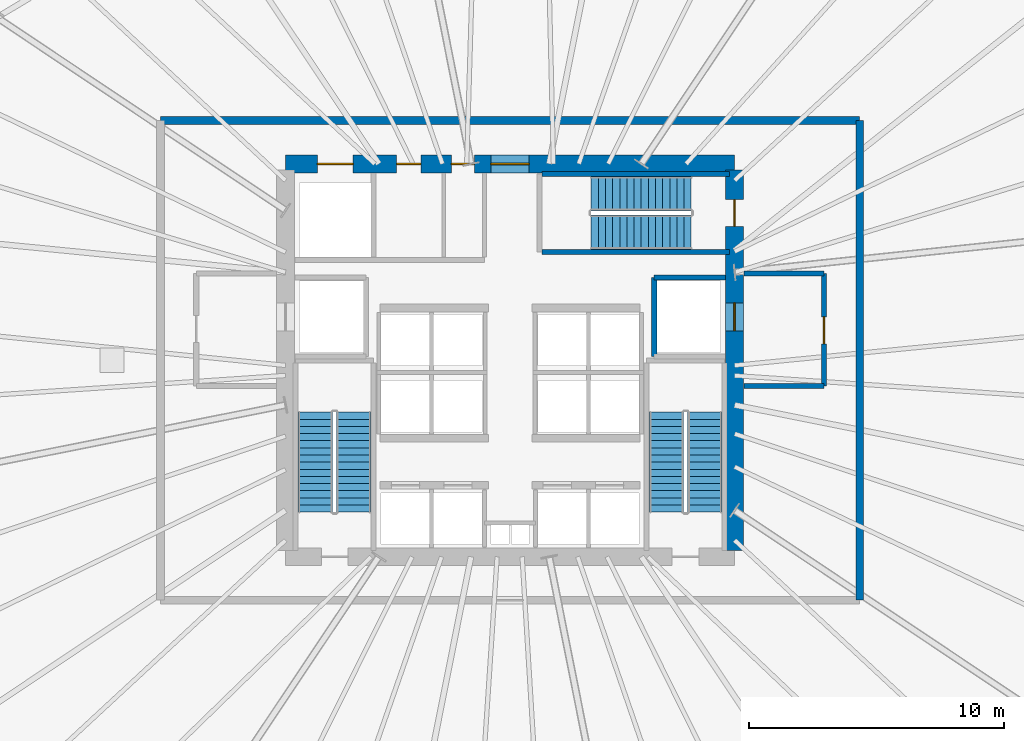
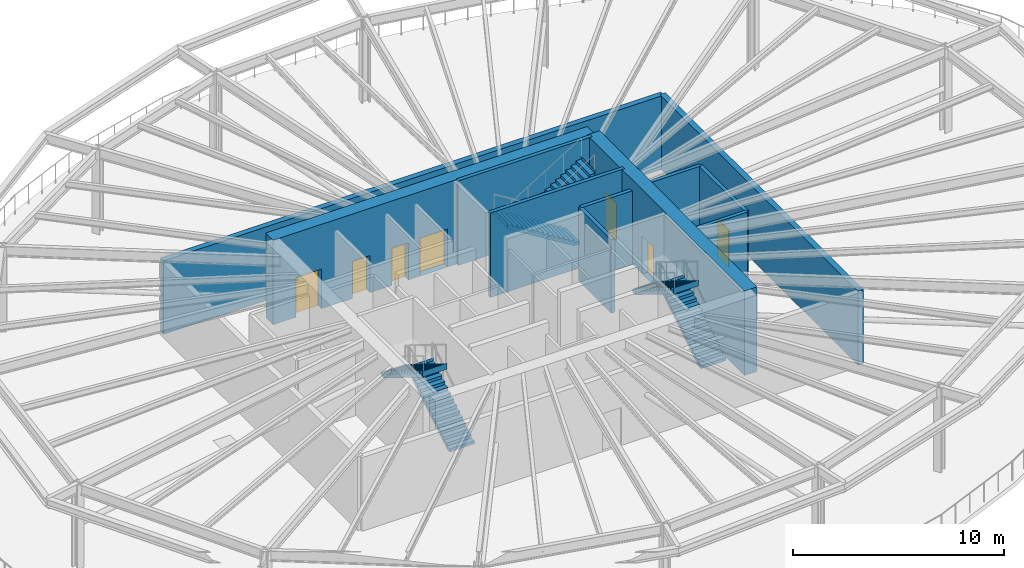
# One storey, part 5 of 9: 11 walls, 7 doors, 6 stair flights, 7 openings, 3 elements without a shape of their own.
"""IFC4 building model written with IfcOpenShell, lengths in metres."""

from ifc_helpers import new_model, si_unit, direction, frame, frame_2d, origin, place, context, subcontext, project, spatial, polyline, rectangle, outline, extrude, source, transform, mapped, material, layer, layer_set, type_object, element, fill, aggregate, save


model = new_model("IFC4")

# Units and contexts
model_context = context("Model", 3, precision=1e-05, world=origin(), true_north=direction((0.0, 1.0)))
body_context = subcontext(model_context, "Body", "Model", "MODEL_VIEW")
ifc_project = project(units=[si_unit("LENGTHUNIT", "METRE"), si_unit("AREAUNIT", "SQUARE_METRE"), si_unit("VOLUMEUNIT", "CUBIC_METRE"), si_unit("PLANEANGLEUNIT", "RADIAN"), si_unit("MASSUNIT", "GRAM", prefix="KILO"), si_unit("THERMODYNAMICTEMPERATUREUNIT", "KELVIN")], contexts=[model_context])

# Site, building, storey
site_placement = place(None, origin())
site = spatial("IfcSite", under=ifc_project, at=site_placement, CompositionType="ELEMENT")
building_placement = place(site_placement, origin())
building = spatial("IfcBuilding", under=site, at=building_placement, Name="Kethvar Cultural Tower", CompositionType="ELEMENT")
storey_placement = place(building_placement, frame((0.0, 0.0, 75.199951171875)))
storey = spatial("IfcBuildingStorey", under=building, at=storey_placement, Name="L18", CompositionType="ELEMENT", Elevation=75.199951171875)

# Wall, openings, doors
ifc_material_1 = material(Name="Concrete C60/75", Category="concrete")
ifc_layer_1 = layer(ifc_material_1, 0.699951171875, Name="Concrete C60/75", Category="concrete")
ifc_layer_set_1 = layer_set([ifc_layer_1], Name="Concrete C60/75 (700 mm)")
wall_type_1 = type_object("IfcWallType", Name="WL-CORE-700", PredefinedType="SHEAR", material=ifc_layer_set_1)
wall_1_placement = place(storey_placement, frame((55.60009765625, 35.5, 0.0), z_axis=(0.0, 0.0, 1.0), x_axis=(-1.0, 0.0, 0.0)))
wall_1 = element("IfcWall", 1, at=wall_1_placement, inside=storey, type_object=wall_type_1, Name="L18 Core Shear Wall N", PredefinedType="SHEAR", context=body_context, shape_type="SweptSolid", body=[
    extrude(rectangle(XDim=17.60009765625, YDim=0.699951171875, at=frame_2d((8.800048828125, 0.0))), origin(), (0.0, 0.0, 1.0), 4.89013671875),
])
opening_1_placement = place(wall_1_placement, frame((8.050048828125, 0.0, 0.0)))
opening_1 = element("IfcOpeningElement", 2, at=opening_1_placement, cuts=wall_1, Name="Opening D-L18-LN", PredefinedType="OPENING", context=body_context, shape_type="SweptSolid", body=[
    extrude(rectangle(XDim=1.5, YDim=2.199951171875, at=frame_2d((0.75, 1.10009765625))), frame((0.0, 0.35986328125, 0.0), z_axis=(0.0, -1.0, 0.0), x_axis=(1.0, 0.0, 0.0)), (0.0, 0.0, 1.0), 0.719970703125),
])
opening_2_placement = place(wall_1_placement, frame((14.949951171875, 0.0, 0.0)))
opening_2 = element("IfcOpeningElement", 3, at=opening_2_placement, cuts=wall_1, Name="Opening LD-G1", PredefinedType="OPENING", context=body_context, shape_type="SweptSolid", body=[
    extrude(rectangle(XDim=1.39990234375, YDim=2.300048828125, at=frame_2d((0.699951171875, 1.14990234375))), frame((0.0, 0.35986328125, 0.0), z_axis=(0.0, -1.0, 0.0), x_axis=(1.0, 0.0, 0.0)), (0.0, 0.0, 1.0), 0.719970703125),
])
opening_3_placement = place(wall_1_placement, frame((12.300048828125, 0.0, 0.0)))
opening_3 = element("IfcOpeningElement", 4, at=opening_3_placement, cuts=wall_1, Name="Opening D-L18-W1", PredefinedType="OPENING", context=body_context, shape_type="SweptSolid", body=[
    extrude(rectangle(XDim=0.949951171875, YDim=2.14990234375, at=frame_2d((0.47509765625, 1.074951171875))), frame((0.0, 0.35986328125, 0.0), z_axis=(0.0, -1.0, 0.0), x_axis=(1.0, 0.0, 0.0)), (0.0, 0.0, 1.0), 0.719970703125),
])
opening_4_placement = place(wall_1_placement, frame((10.199951171875, 0.0, 0.0)))
opening_4 = element("IfcOpeningElement", 5, at=opening_4_placement, cuts=wall_1, Name="Opening D-L18-W2", PredefinedType="OPENING", context=body_context, shape_type="SweptSolid", body=[
    extrude(rectangle(XDim=0.89990234375, YDim=2.14990234375, at=frame_2d((0.449951171875, 1.074951171875))), frame((0.0, 0.35986328125, 0.0), z_axis=(0.0, -1.0, 0.0), x_axis=(1.0, 0.0, 0.0)), (0.0, 0.0, 1.0), 0.719970703125),
])
ifc_material_2 = material(Name="Architectural Oak Timber", Category="wood")
door_type_1 = type_object("IfcDoorType", Name="DR-DBL-FD60-1500", OperationType="DOUBLE_DOOR_SINGLE_SWING", PredefinedType="DOOR", material=ifc_material_2)
shared_shape_1 = source(origin(), body_context, "Body", "SweptSolid", [
    extrude(rectangle(XDim=1.5, YDim=2.199951171875, at=frame_2d((0.75, 1.10009765625))), frame((0.0, 0.02490234375, 0.0), z_axis=(0.0, -1.0, 0.0), x_axis=(1.0, 0.0, 0.0)), (0.0, 0.0, 1.0), 0.050048828125),
])
door_1_placement = place(opening_1_placement, origin())
door_1 = element("IfcDoor", 6, at=door_1_placement, inside=storey, type_object=door_type_1, Name="L18 Lift Lobby Concourse Door", OperationType="DOUBLE_DOOR_SINGLE_SWING", OverallHeight=2.199951171875, OverallWidth=1.5, PredefinedType="DOOR", context=body_context, shape_type="MappedRepresentation", body=[
    mapped(shared_shape_1, transform((0.0, 0.0, 0.0), scale=1.0)),
])
fill(opening_1, door_1)
ifc_material_3 = material(Name="Steel S355J2", Category="steel")
door_type_2 = type_object("IfcDoorType", Name="DR-LIFT-SLIDE-1400", OperationType="NOTDEFINED", PredefinedType="DOOR", material=ifc_material_3)
shared_shape_2 = source(origin(), body_context, "Body", "SweptSolid", [
    extrude(rectangle(XDim=1.39990234375, YDim=2.300048828125, at=frame_2d((0.699951171875, 1.14990234375))), frame((0.0, 0.02490234375, 0.0), z_axis=(0.0, -1.0, 0.0), x_axis=(1.0, 0.0, 0.0)), (0.0, 0.0, 1.0), 0.050048828125),
])
door_2_placement = place(opening_2_placement, origin())
door_2 = element("IfcDoor", 7, at=door_2_placement, inside=storey, type_object=door_type_2, Name="L18 Goods Lift Landing Door", OperationType="SLIDING_TO_RIGHT", OverallHeight=2.300048828125, OverallWidth=1.39990234375, PredefinedType="DOOR", context=body_context, shape_type="MappedRepresentation", body=[
    mapped(shared_shape_2, transform((0.0, 0.0, 0.0), scale=1.0)),
])
fill(opening_2, door_2)
door_type_3 = type_object("IfcDoorType", Name="DR-FD30-950", OperationType="NOTDEFINED", PredefinedType="DOOR", material=ifc_material_2)
shared_shape_3 = source(origin(), body_context, "Body", "SweptSolid", [
    extrude(rectangle(XDim=0.949951171875, YDim=2.14990234375, at=frame_2d((0.47509765625, 1.074951171875))), frame((0.0, 0.02490234375, 0.0), z_axis=(0.0, -1.0, 0.0), x_axis=(1.0, 0.0, 0.0)), (0.0, 0.0, 1.0), 0.050048828125),
])
door_3_placement = place(opening_3_placement, origin())
door_3 = element("IfcDoor", 8, at=door_3_placement, inside=storey, type_object=door_type_3, Name="L18 Public Washroom Door", OperationType="SINGLE_SWING_LEFT", OverallHeight=2.14990234375, OverallWidth=0.949951171875, PredefinedType="DOOR", context=body_context, shape_type="MappedRepresentation", body=[
    mapped(shared_shape_3, transform((0.0, 0.0, 0.0), scale=1.0)),
])
fill(opening_3, door_3)
door_type_4 = type_object("IfcDoorType", Name="DR-FD30-900", OperationType="NOTDEFINED", PredefinedType="DOOR", material=ifc_material_2)
shared_shape_4 = source(origin(), body_context, "Body", "SweptSolid", [
    extrude(rectangle(XDim=0.89990234375, YDim=2.14990234375, at=frame_2d((0.449951171875, 1.074951171875))), frame((0.0, 0.02490234375, 0.0), z_axis=(0.0, -1.0, 0.0), x_axis=(1.0, 0.0, 0.0)), (0.0, 0.0, 1.0), 0.050048828125),
])
door_4_placement = place(opening_4_placement, origin())
door_4 = element("IfcDoor", 9, at=door_4_placement, inside=storey, type_object=door_type_4, Name="L18 Accessible Washroom Door", OperationType="SINGLE_SWING_RIGHT", OverallHeight=2.14990234375, OverallWidth=0.89990234375, PredefinedType="DOOR", context=body_context, shape_type="MappedRepresentation", body=[
    mapped(shared_shape_4, transform((0.0, 0.0, 0.0), scale=1.0)),
])
fill(opening_4, door_4)

wall_2_placement = place(storey_placement, frame((55.60009765625, 20.340087890625, 0.0), z_axis=(0.0, 0.0, 1.0), x_axis=(0.0, 1.0, 0.0)))
wall_2 = element("IfcWall", 10, at=wall_2_placement, inside=storey, type_object=wall_type_1, Name="L18 Core Shear Wall E", PredefinedType="SHEAR", context=body_context, shape_type="SweptSolid", body=[
    extrude(rectangle(XDim=14.919921875, YDim=0.699951171875, at=frame_2d((7.4599609375, 0.0))), origin(), (0.0, 0.0, 1.0), 4.89013671875),
])
opening_5_placement = place(wall_2_placement, frame((12.7099609375, 0.0, 0.0)))
opening_5 = element("IfcOpeningElement", 11, at=opening_5_placement, cuts=wall_2, Name="Opening D-L18-S3", PredefinedType="OPENING", context=body_context, shape_type="SweptSolid", body=[
    extrude(rectangle(XDim=1.050048828125, YDim=2.14990234375, at=frame_2d((0.52490234375, 1.074951171875))), frame((0.0, 0.35986328125, 0.0), z_axis=(0.0, -1.0, 0.0), x_axis=(1.0, 0.0, 0.0)), (0.0, 0.0, 1.0), 0.719970703125),
])
opening_6_placement = place(wall_2_placement, frame((8.610107421875, 0.0, 0.0)))
opening_6 = element("IfcOpeningElement", 12, at=opening_6_placement, cuts=wall_2, Name="Opening LD-2", PredefinedType="OPENING", context=body_context, shape_type="SweptSolid", body=[
    extrude(rectangle(XDim=1.10009765625, YDim=2.199951171875, at=frame_2d((0.550048828125, 1.10009765625))), frame((0.0, 0.35986328125, 0.0), z_axis=(0.0, -1.0, 0.0), x_axis=(1.0, 0.0, 0.0)), (0.0, 0.0, 1.0), 0.719970703125),
])
door_type_5 = type_object("IfcDoorType", Name="DR-FD60-1050", OperationType="NOTDEFINED", PredefinedType="DOOR", material=ifc_material_3)
shared_shape_5 = source(origin(), body_context, "Body", "SweptSolid", [
    extrude(rectangle(XDim=1.050048828125, YDim=2.14990234375, at=frame_2d((0.52490234375, 1.074951171875))), frame((0.0, 0.02490234375, 0.0), z_axis=(0.0, -1.0, 0.0), x_axis=(1.0, 0.0, 0.0)), (0.0, 0.0, 1.0), 0.050048828125),
])
door_5_placement = place(opening_5_placement, origin())
door_5 = element("IfcDoor", 13, at=door_5_placement, inside=storey, type_object=door_type_5, Name="L18 Exit Stair 3 Door", OperationType="SINGLE_SWING_LEFT", OverallHeight=2.14990234375, OverallWidth=1.050048828125, PredefinedType="DOOR", context=body_context, shape_type="MappedRepresentation", body=[
    mapped(shared_shape_5, transform((0.0, 0.0, 0.0), scale=1.0)),
])
fill(opening_5, door_5)
door_type_6 = type_object("IfcDoorType", Name="DR-LIFT-SLIDE-1100", OperationType="NOTDEFINED", PredefinedType="DOOR", material=ifc_material_3)
shared_shape_6 = source(origin(), body_context, "Body", "SweptSolid", [
    extrude(rectangle(XDim=1.10009765625, YDim=2.199951171875, at=frame_2d((0.550048828125, 1.10009765625))), frame((0.0, 0.02490234375, 0.0), z_axis=(0.0, -1.0, 0.0), x_axis=(1.0, 0.0, 0.0)), (0.0, 0.0, 1.0), 0.050048828125),
])
door_6_placement = place(opening_6_placement, origin())
door_6 = element("IfcDoor", 14, at=door_6_placement, inside=storey, type_object=door_type_6, Name="L18 Firefighting Lift Landing Door FFL-02", OperationType="SLIDING_TO_RIGHT", OverallHeight=2.199951171875, OverallWidth=1.10009765625, PredefinedType="DOOR", context=body_context, shape_type="MappedRepresentation", body=[
    mapped(shared_shape_6, transform((0.0, 0.0, 0.0), scale=1.0)),
])
fill(opening_6, door_6)

# Walls
ifc_material_4 = material(Name="Concrete C40/50", Category="concrete")
ifc_layer_2 = layer(ifc_material_4, 0.300048828125, Name="Concrete C40/50", Category="concrete")
ifc_layer_set_2 = layer_set([ifc_layer_2], Name="Concrete C40/50 (300 mm)")
wall_type_2 = type_object("IfcWallType", Name="WL-EXT-TER-300", PredefinedType="SOLIDWALL", material=ifc_layer_set_2)
wall_3_placement = place(storey_placement, frame((60.5, 18.39990234375, 0.0), z_axis=(0.0, 0.0, 1.0), x_axis=(0.0, 1.0, 0.0)))
element("IfcWall", 15, at=wall_3_placement, inside=storey, type_object=wall_type_2, Name="L18 Wind-Floor Weather Enclosure Wall E", PredefinedType="SOLIDWALL", context=body_context, shape_type="SweptSolid", body=[
    extrude(rectangle(XDim=18.800048828125, YDim=0.300048828125, at=frame_2d((9.39990234375, 0.0))), origin(), (0.0, 0.0, 1.0), 4.26513671875),
])
wall_4_placement = place(storey_placement, frame((60.5, 37.199951171875, 0.0), z_axis=(0.0, 0.0, 1.0), x_axis=(-1.0, 0.0, 0.0)))
element("IfcWall", 16, at=wall_4_placement, inside=storey, type_object=wall_type_2, Name="L18 Wind-Floor Weather Enclosure Wall N", PredefinedType="SOLIDWALL", context=body_context, shape_type="SweptSolid", body=[
    extrude(rectangle(XDim=27.39990234375, YDim=0.300048828125, at=frame_2d((13.699951171875, 0.0))), origin(), (0.0, 0.0, 1.0), 4.26513671875),
])
ifc_layer_3 = layer(ifc_material_4, 0.199951171875, Name="Concrete C40/50", Category="concrete")
ifc_layer_set_3 = layer_set([ifc_layer_3], Name="Concrete C40/50 (200 mm)")
wall_type_3 = type_object("IfcWallType", Name="WL-FIRE-200", PredefinedType="PARTITIONING", material=ifc_layer_set_3)
wall_5_placement = place(storey_placement, frame((52.449951171875, 27.949951171875, 0.0), z_axis=(0.0, 0.0, 1.0), x_axis=(0.0, 1.0, 0.0)))
element("IfcWall", 17, at=wall_5_placement, inside=storey, type_object=wall_type_3, Name="L18 FFL-02 Shaft Inner Wall", PredefinedType="PARTITIONING", context=body_context, shape_type="SweptSolid", body=[
    extrude(rectangle(XDim=3.10009765625, YDim=0.199951171875, at=frame_2d((1.550048828125, 0.0))), origin(), (0.0, 0.0, 1.0), 4.26513671875),
])
wall_6_placement = place(storey_placement, frame((52.449951171875, 31.050048828125, 0.0), z_axis=(0.0, 0.0, 1.0), x_axis=(1.0, 0.0, 0.0)))
element("IfcWall", 18, at=wall_6_placement, inside=storey, type_object=wall_type_3, Name="L18 FFL-02 Shaft North Wall", PredefinedType="PARTITIONING", context=body_context, shape_type="SweptSolid", body=[
    extrude(rectangle(XDim=2.7900390625, YDim=0.199951171875, at=frame_2d((1.39501953125, 0.0))), origin(), (0.0, 0.0, 1.0), 4.26513671875),
])

# Wall, opening, door
wall_7_placement = place(storey_placement, frame((59.10009765625, 26.800048828125, 0.0), z_axis=(0.0, 0.0, 1.0), x_axis=(0.0, 1.0, 0.0)))
wall_7 = element("IfcWall", 19, at=wall_7_placement, inside=storey, type_object=wall_type_3, Name="L18 Firefighting Lobby 2 Wall", PredefinedType="PARTITIONING", context=body_context, shape_type="SweptSolid", body=[
    extrude(rectangle(XDim=4.39990234375, YDim=0.199951171875, at=frame_2d((2.199951171875, 0.0))), origin(), (0.0, 0.0, 1.0), 4.26513671875),
])
opening_7_placement = place(wall_7_placement, frame((1.64990234375, 0.0, 0.0)))
opening_7 = element("IfcOpeningElement", 20, at=opening_7_placement, cuts=wall_7, Name="Opening D-L18-F2", PredefinedType="OPENING", context=body_context, shape_type="SweptSolid", body=[
    extrude(rectangle(XDim=1.050048828125, YDim=2.14990234375, at=frame_2d((0.52490234375, 1.074951171875))), frame((0.0, 0.10986328125, 0.0), z_axis=(0.0, -1.0, 0.0), x_axis=(1.0, 0.0, 0.0)), (0.0, 0.0, 1.0), 0.219970703125),
])
door_7_placement = place(opening_7_placement, origin())
door_7 = element("IfcDoor", 21, at=door_7_placement, inside=storey, type_object=door_type_5, Name="L18 Firefighting Lobby 2 Fire Door", OperationType="SINGLE_SWING_LEFT", OverallHeight=2.14990234375, OverallWidth=1.050048828125, PredefinedType="DOOR", context=body_context, shape_type="MappedRepresentation", body=[
    mapped(shared_shape_5, transform((0.0, 0.0, 0.0), scale=1.0)),
])
fill(opening_7, door_7)

# Walls
for number, where, z_axis, x_axis, name in (
    (22, (55.9599609375, 26.800048828125, 0.0), (0.0, 0.0, 1.0), (1.0, 0.0, 0.0), "L18 FF Lobby 2 South Wall"),
    (23, (55.9599609375, 31.199951171875, 0.0), (0.0, 0.0, 1.0), (1.0, 0.0, 0.0), "L18 FF Lobby 2 North Wall"),
):
    element("IfcWall", number, at=place(storey_placement, frame(where, z_axis=z_axis, x_axis=x_axis)), inside=storey, type_object=wall_type_3, Name=name, PredefinedType="PARTITIONING", context=body_context, shape_type="SweptSolid", body=[
        extrude(rectangle(XDim=3.14013671875, YDim=0.199951171875, at=frame_2d((1.570068359375, 0.0))), origin(), (0.0, 0.0, 1.0), 4.26513671875),
    ])
ifc_material_5 = material(Name="Concrete C50/60", Category="concrete")
ifc_layer_4 = layer(ifc_material_5, 0.199951171875, Name="Concrete C50/60", Category="concrete")
ifc_layer_set_4 = layer_set([ifc_layer_4], Name="Concrete C50/60 (200 mm)")
wall_type_4 = type_object("IfcWallType", Name="WL-STSHAFT-200", PredefinedType="SHEAR", material=ifc_layer_set_4)
for number, where, z_axis, x_axis, name in (
    (24, (48.050048828125, 35.110107421875, 0.0), (0.0, 0.0, 1.0), (1.0, 0.0, 0.0), "L18 ST-03 Stair Shaft Wall LEFT"),
    (25, (55.39990234375, 32.050048828125, 0.0), (0.0, 0.0, 1.0), (-1.0, 0.0, 0.0), "L18 ST-03 Stair Shaft Wall RIGHT"),
):
    element("IfcWall", number, at=place(storey_placement, frame(where, z_axis=z_axis, x_axis=x_axis)), inside=storey, type_object=wall_type_4, Name=name, PredefinedType="SHEAR", context=body_context, shape_type="SweptSolid", body=[
        extrude(rectangle(XDim=7.349853515625, YDim=0.199951171875, at=frame_2d((3.6748046875, 0.0))), origin(), (0.0, 0.0, 1.0), 4.89013671875),
    ])

# Stair, stair flights
stair_type = type_object("IfcStairType", Name="ST-DOGLEG-135", PredefinedType="HALF_TURN_STAIR", material=ifc_material_4)
stair_1_placement = place(storey_placement, origin())
stair_1 = element("IfcStair", 26, at=stair_1_placement, inside=storey, type_object=stair_type, Name="L18 Core Exit Stair 1", PredefinedType="HALF_TURN_STAIR")
stair_flight_type = type_object("IfcStairFlightType", Name="FL-STRAIGHT-135", PredefinedType="STRAIGHT", material=ifc_material_4)
stair_flight_1_placement = place(storey_placement, frame((40.675048828125, 21.85009765625, 0.0), z_axis=(0.0, 0.0, 1.0), x_axis=(0.0, 1.0, 0.0)))
stair_flight_1 = element("IfcStairFlight", 27, at=stair_flight_1_placement, type_object=stair_flight_type, Name="ST-01 flight 1", NumberOfRisers=15, NumberOfTreads=14, PredefinedType="STRAIGHT", RiserHeight=0.173333333, TreadLength=0.28, context=body_context, shape_type="SweptSolid", body=[
    extrude(outline(polyline([(-0.0009765625, -0.0009765625), (-0.0009765625, 0.17333984375), (0.280029296875, 0.17333984375), (0.280029296875, 0.3466796875), (0.56005859375, 0.3466796875), (0.56005859375, 0.52001953125), (0.840087890625, 0.52001953125), (0.840087890625, 0.693359375), (1.1201171875, 0.693359375), (1.1201171875, 0.86669921875), (1.39990234375, 0.86669921875), (1.39990234375, 1.0400390625), (1.679931640625, 1.0400390625), (1.679931640625, 1.21337890625), (1.9599609375, 1.21337890625), (1.9599609375, 1.38671875), (2.239990234375, 1.38671875), (2.239990234375, 1.56005859375), (2.52001953125, 1.56005859375), (2.52001953125, 1.7333984375), (2.800048828125, 1.7333984375), (2.800048828125, 1.90673828125), (3.080078125, 1.90673828125), (3.080078125, 2.080078125), (3.360107421875, 2.080078125), (3.360107421875, 2.25341796875), (3.639892578125, 2.25341796875), (3.639892578125, 2.4267578125), (3.919921875, 2.4267578125), (3.919921875, 2.60009765625), (3.9208984375, 2.60009765625), (3.9208984375, 2.250244140625), (0.284912109375, 0.0), (0.0, -0.0009765625), (-0.0009765625, -0.0009765625)])), frame((0.0, 0.675048828125, 0.0), z_axis=(0.0, -1.0, 0.0), x_axis=(1.0, 0.0, 0.0)), (0.0, 0.0, 1.0), 1.35009765625),
])
stair_flight_2_placement = place(storey_placement, frame((39.1650390625, 25.77001953125, 2.60009765625), z_axis=(0.0, 0.0, 1.0), x_axis=(0.0, -1.0, 0.0)))
stair_flight_2 = element("IfcStairFlight", 28, at=stair_flight_2_placement, type_object=stair_flight_type, Name="ST-01 flight 2", NumberOfRisers=15, NumberOfTreads=14, PredefinedType="STRAIGHT", RiserHeight=0.173333333, TreadLength=0.28, context=body_context, shape_type="SweptSolid", body=[
    extrude(outline(polyline([(-0.0009765625, -0.0009765625), (-0.0009765625, 0.17333984375), (0.280029296875, 0.17333984375), (0.280029296875, 0.3466796875), (0.56005859375, 0.3466796875), (0.56005859375, 0.52001953125), (0.840087890625, 0.52001953125), (0.840087890625, 0.693359375), (1.1201171875, 0.693359375), (1.1201171875, 0.86669921875), (1.39990234375, 0.86669921875), (1.39990234375, 1.0400390625), (1.679931640625, 1.0400390625), (1.679931640625, 1.21337890625), (1.9599609375, 1.21337890625), (1.9599609375, 1.38671875), (2.239990234375, 1.38671875), (2.239990234375, 1.56005859375), (2.52001953125, 1.56005859375), (2.52001953125, 1.7333984375), (2.800048828125, 1.7333984375), (2.800048828125, 1.90673828125), (3.080078125, 1.90673828125), (3.080078125, 2.080078125), (3.360107421875, 2.080078125), (3.360107421875, 2.25341796875), (3.639892578125, 2.25341796875), (3.639892578125, 2.4267578125), (3.919921875, 2.4267578125), (3.919921875, 2.60009765625), (3.9208984375, 2.60009765625), (3.9208984375, 2.250244140625), (0.284912109375, 0.0), (0.0, -0.0009765625), (-0.0009765625, -0.0009765625)])), frame((0.0, 0.675048828125, 0.0), z_axis=(0.0, -1.0, 0.0), x_axis=(1.0, 0.0, 0.0)), (0.0, 0.0, 1.0), 1.35009765625),
])
aggregate(stair_1, [stair_flight_1, stair_flight_2])

stair_2_placement = place(storey_placement, origin())
stair_2 = element("IfcStair", 29, at=stair_2_placement, inside=storey, type_object=stair_type, Name="L18 Core Exit Stair 2", PredefinedType="HALF_TURN_STAIR")
stair_flight_3_placement = place(storey_placement, frame((54.43505859375, 21.85009765625, 0.0), z_axis=(0.0, 0.0, 1.0), x_axis=(0.0, 1.0, 0.0)))
stair_flight_3 = element("IfcStairFlight", 30, at=stair_flight_3_placement, type_object=stair_flight_type, Name="ST-02 flight 1", NumberOfRisers=15, NumberOfTreads=14, PredefinedType="STRAIGHT", RiserHeight=0.173333333, TreadLength=0.28, context=body_context, shape_type="SweptSolid", body=[
    extrude(outline(polyline([(-0.0009765625, -0.0009765625), (-0.0009765625, 0.17333984375), (0.280029296875, 0.17333984375), (0.280029296875, 0.3466796875), (0.56005859375, 0.3466796875), (0.56005859375, 0.52001953125), (0.840087890625, 0.52001953125), (0.840087890625, 0.693359375), (1.1201171875, 0.693359375), (1.1201171875, 0.86669921875), (1.39990234375, 0.86669921875), (1.39990234375, 1.0400390625), (1.679931640625, 1.0400390625), (1.679931640625, 1.21337890625), (1.9599609375, 1.21337890625), (1.9599609375, 1.38671875), (2.239990234375, 1.38671875), (2.239990234375, 1.56005859375), (2.52001953125, 1.56005859375), (2.52001953125, 1.7333984375), (2.800048828125, 1.7333984375), (2.800048828125, 1.90673828125), (3.080078125, 1.90673828125), (3.080078125, 2.080078125), (3.360107421875, 2.080078125), (3.360107421875, 2.25341796875), (3.639892578125, 2.25341796875), (3.639892578125, 2.4267578125), (3.919921875, 2.4267578125), (3.919921875, 2.60009765625), (3.9208984375, 2.60009765625), (3.9208984375, 2.250244140625), (0.284912109375, 0.0), (0.0, -0.0009765625), (-0.0009765625, -0.0009765625)])), frame((0.0, 0.675048828125, 0.0), z_axis=(0.0, -1.0, 0.0), x_axis=(1.0, 0.0, 0.0)), (0.0, 0.0, 1.0), 1.35009765625),
])
stair_flight_4_placement = place(storey_placement, frame((52.925048828125, 25.77001953125, 2.60009765625), z_axis=(0.0, 0.0, 1.0), x_axis=(0.0, -1.0, 0.0)))
stair_flight_4 = element("IfcStairFlight", 31, at=stair_flight_4_placement, type_object=stair_flight_type, Name="ST-02 flight 2", NumberOfRisers=15, NumberOfTreads=14, PredefinedType="STRAIGHT", RiserHeight=0.173333333, TreadLength=0.28, context=body_context, shape_type="SweptSolid", body=[
    extrude(outline(polyline([(-0.0009765625, -0.0009765625), (-0.0009765625, 0.17333984375), (0.280029296875, 0.17333984375), (0.280029296875, 0.3466796875), (0.56005859375, 0.3466796875), (0.56005859375, 0.52001953125), (0.840087890625, 0.52001953125), (0.840087890625, 0.693359375), (1.1201171875, 0.693359375), (1.1201171875, 0.86669921875), (1.39990234375, 0.86669921875), (1.39990234375, 1.0400390625), (1.679931640625, 1.0400390625), (1.679931640625, 1.21337890625), (1.9599609375, 1.21337890625), (1.9599609375, 1.38671875), (2.239990234375, 1.38671875), (2.239990234375, 1.56005859375), (2.52001953125, 1.56005859375), (2.52001953125, 1.7333984375), (2.800048828125, 1.7333984375), (2.800048828125, 1.90673828125), (3.080078125, 1.90673828125), (3.080078125, 2.080078125), (3.360107421875, 2.080078125), (3.360107421875, 2.25341796875), (3.639892578125, 2.25341796875), (3.639892578125, 2.4267578125), (3.919921875, 2.4267578125), (3.919921875, 2.60009765625), (3.9208984375, 2.60009765625), (3.9208984375, 2.250244140625), (0.284912109375, 0.0), (0.0, -0.0009765625), (-0.0009765625, -0.0009765625)])), frame((0.0, 0.675048828125, 0.0), z_axis=(0.0, -1.0, 0.0), x_axis=(1.0, 0.0, 0.0)), (0.0, 0.0, 1.0), 1.35009765625),
])
aggregate(stair_2, [stair_flight_3, stair_flight_4])

stair_3_placement = place(storey_placement, origin())
stair_3 = element("IfcStair", 32, at=stair_3_placement, inside=storey, type_object=stair_type, Name="L18 Core Exit Stair 3", PredefinedType="HALF_TURN_STAIR")
stair_flight_5_placement = place(storey_placement, frame((53.89990234375, 34.3349609375, 0.0), z_axis=(0.0, 0.0, 1.0), x_axis=(-1.0, 0.0, 0.0)))
stair_flight_5 = element("IfcStairFlight", 33, at=stair_flight_5_placement, type_object=stair_flight_type, Name="ST-03 flight 1", NumberOfRisers=15, NumberOfTreads=14, PredefinedType="STRAIGHT", RiserHeight=0.173333333, TreadLength=0.28, context=body_context, shape_type="SweptSolid", body=[
    extrude(outline(polyline([(-0.0009765625, -0.0009765625), (-0.0009765625, 0.17333984375), (0.280029296875, 0.17333984375), (0.280029296875, 0.3466796875), (0.56005859375, 0.3466796875), (0.56005859375, 0.52001953125), (0.840087890625, 0.52001953125), (0.840087890625, 0.693359375), (1.1201171875, 0.693359375), (1.1201171875, 0.86669921875), (1.39990234375, 0.86669921875), (1.39990234375, 1.0400390625), (1.679931640625, 1.0400390625), (1.679931640625, 1.21337890625), (1.9599609375, 1.21337890625), (1.9599609375, 1.38671875), (2.239990234375, 1.38671875), (2.239990234375, 1.56005859375), (2.52001953125, 1.56005859375), (2.52001953125, 1.7333984375), (2.800048828125, 1.7333984375), (2.800048828125, 1.90673828125), (3.080078125, 1.90673828125), (3.080078125, 2.080078125), (3.360107421875, 2.080078125), (3.360107421875, 2.25341796875), (3.639892578125, 2.25341796875), (3.639892578125, 2.4267578125), (3.919921875, 2.4267578125), (3.919921875, 2.60009765625), (3.9208984375, 2.60009765625), (3.9208984375, 2.250244140625), (0.284912109375, 0.0), (0.0, -0.0009765625), (-0.0009765625, -0.0009765625)])), frame((0.0, 0.675048828125, 0.0), z_axis=(0.0, -1.0, 0.0), x_axis=(1.0, 0.0, 0.0)), (0.0, 0.0, 1.0), 1.35009765625),
])
stair_flight_6_placement = place(storey_placement, frame((49.97998046875, 32.824951171875, 2.60009765625), z_axis=(0.0, 0.0, 1.0), x_axis=(1.0, 0.0, 0.0)))
stair_flight_6 = element("IfcStairFlight", 34, at=stair_flight_6_placement, type_object=stair_flight_type, Name="ST-03 flight 2", NumberOfRisers=15, NumberOfTreads=14, PredefinedType="STRAIGHT", RiserHeight=0.173333333, TreadLength=0.28, context=body_context, shape_type="SweptSolid", body=[
    extrude(outline(polyline([(-0.0009765625, -0.0009765625), (-0.0009765625, 0.17333984375), (0.280029296875, 0.17333984375), (0.280029296875, 0.3466796875), (0.56005859375, 0.3466796875), (0.56005859375, 0.52001953125), (0.840087890625, 0.52001953125), (0.840087890625, 0.693359375), (1.1201171875, 0.693359375), (1.1201171875, 0.86669921875), (1.39990234375, 0.86669921875), (1.39990234375, 1.0400390625), (1.679931640625, 1.0400390625), (1.679931640625, 1.21337890625), (1.9599609375, 1.21337890625), (1.9599609375, 1.38671875), (2.239990234375, 1.38671875), (2.239990234375, 1.56005859375), (2.52001953125, 1.56005859375), (2.52001953125, 1.7333984375), (2.800048828125, 1.7333984375), (2.800048828125, 1.90673828125), (3.080078125, 1.90673828125), (3.080078125, 2.080078125), (3.360107421875, 2.080078125), (3.360107421875, 2.25341796875), (3.639892578125, 2.25341796875), (3.639892578125, 2.4267578125), (3.919921875, 2.4267578125), (3.919921875, 2.60009765625), (3.9208984375, 2.60009765625), (3.9208984375, 2.250244140625), (0.284912109375, 0.0), (0.0, -0.0009765625), (-0.0009765625, -0.0009765625)])), frame((0.0, 0.675048828125, 0.0), z_axis=(0.0, -1.0, 0.0), x_axis=(1.0, 0.0, 0.0)), (0.0, 0.0, 1.0), 1.35009765625),
])
aggregate(stair_3, [stair_flight_5, stair_flight_6])

save(model, "model.ifc")
